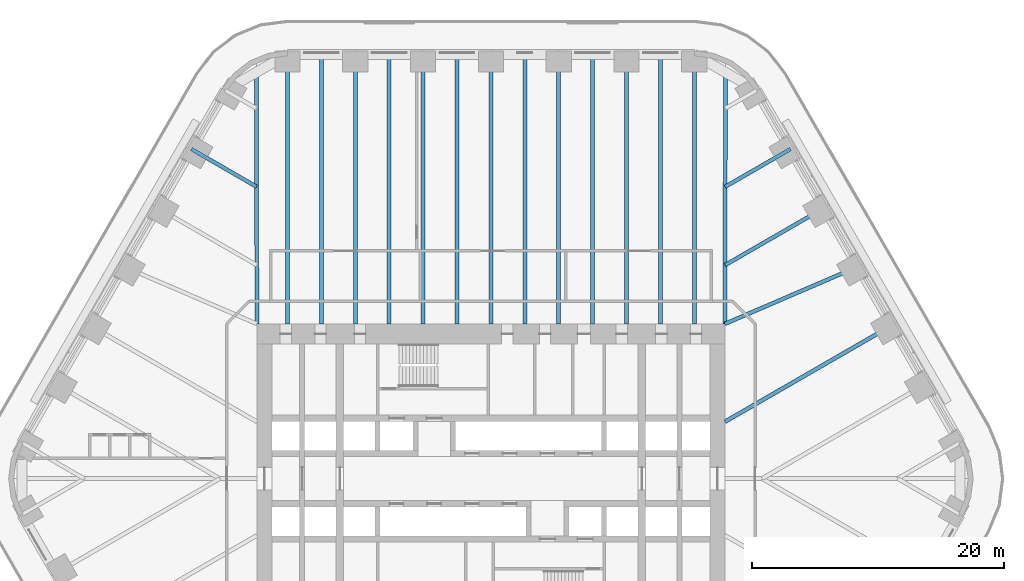
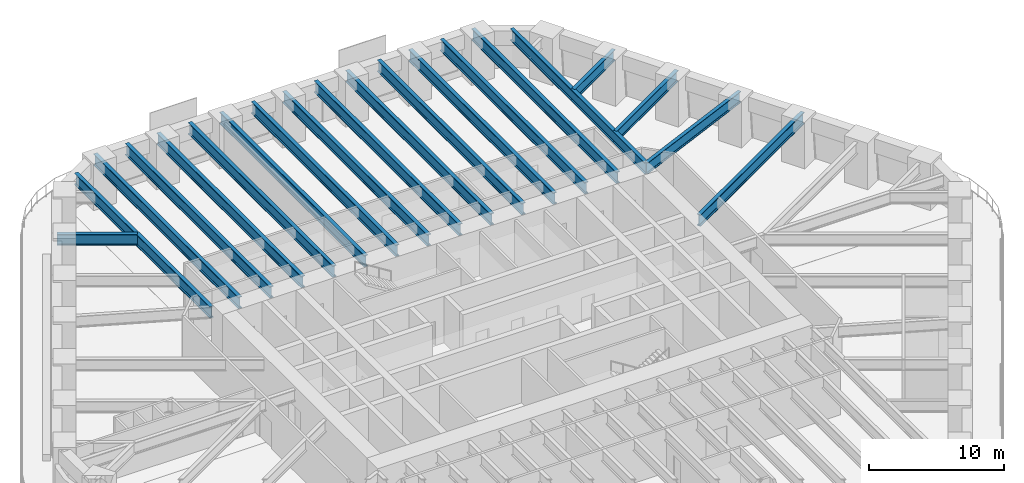
# One storey, part 10 of 23: 20 beams.
"""IFC4 building model written with IfcOpenShell, lengths in metres."""

import ifcopenshell
import ifcopenshell.guid

model = None  # the IFC model being written
_history = None  # IfcOwnerHistory: only IFC2X3 demands one
_inside = {}  # id of a spatial element -> (the spatial element, [elements in it])
_under = {}  # id of a project, library or spatial element -> (it, [spatial elements below it])
_declared = {}  # id of a project -> (the project, [libraries it declares])
_typed = {}  # id of a type object -> (the type object, [elements of that type])
_made_of = {}  # id of a material, layer set ... -> (it, [elements and type objects made of it])


def new_model(schema):
    """Start an empty IFC model of exactly this schema.

    Asked for "IFC4X3", IfcOpenShell would pick the latest addendum, in which some entities
    have other attributes; the version numbers below select the first issue.
    IFC2X3 requires an IfcOwnerHistory on every rooted entity: one is made here for all.
    """
    global model, _history
    if schema == "IFC4X3":
        model = ifcopenshell.file(schema_version=(4, 3, 0, 0))
    else:
        model = ifcopenshell.file(schema=schema)
    _inside.clear()
    _under.clear()
    _declared.clear()
    _typed.clear()
    _made_of.clear()
    _history = None
    if model.schema == "IFC2X3":
        org = make("IfcOrganization", Name="unknown")
        user = make(
            "IfcPersonAndOrganization",
            ThePerson=make("IfcPerson", FamilyName="unknown"),
            TheOrganization=org,
        )
        app = make(
            "IfcApplication",
            ApplicationDeveloper=org,
            Version="unknown",
            ApplicationFullName="unknown",
            ApplicationIdentifier="unknown",
        )
        _history = make(
            "IfcOwnerHistory",
            OwningUser=user,
            OwningApplication=app,
            ChangeAction="ADDED",
            CreationDate=0,
        )
    return model


def make(cls, **values):
    """One entity of the class cls with the attributes given. An attribute that is None is left unset."""
    return model.create_entity(
        cls, **{name: value for name, value in values.items() if value is not None}
    )


def rooted(cls, **values):
    """An entity with a GlobalId (a new one), such as an element, a storey or a relation."""
    return make(cls, GlobalId=ifcopenshell.guid.new(), OwnerHistory=_history, **values)


def si_unit(unit_type, name, prefix=None):
    """IfcSIUnit, for example si_unit("LENGTHUNIT", "METRE", prefix="MILLI")."""
    return make("IfcSIUnit", UnitType=unit_type, Prefix=prefix, Name=name)


def assignment(units):
    """IfcUnitAssignment: the units of a project."""
    return None if units is None else make("IfcUnitAssignment", Units=units)


def point(xyz):
    """IfcCartesianPoint."""
    return None if xyz is None else make("IfcCartesianPoint", Coordinates=xyz)


def direction(xyz):
    """IfcDirection."""
    return None if xyz is None else make("IfcDirection", DirectionRatios=xyz)


def frame(location, z_axis=None, x_axis=None):
    """IfcAxis2Placement3D, a coordinate frame: its origin and axes. An axis left out is left unset."""
    return make(
        "IfcAxis2Placement3D",
        Location=point(location),
        Axis=direction(z_axis),
        RefDirection=direction(x_axis),
    )


def frame_2d(location, x_axis=None):
    """IfcAxis2Placement2D, a coordinate frame in the plane: its origin and x axis."""
    return make(
        "IfcAxis2Placement2D", Location=point(location), RefDirection=direction(x_axis)
    )


def origin():
    """The frame at (0, 0, 0) with its axes left unset."""
    return frame((0.0, 0.0, 0.0))


def origin_2d():
    """The frame at (0, 0) in the plane with its x axis left unset."""
    return frame_2d((0.0, 0.0))


def place(relative_to, where):
    """IfcLocalPlacement: puts the frame where relative to a parent placement (None: the world)."""
    return make(
        "IfcLocalPlacement", PlacementRelTo=relative_to, RelativePlacement=where
    )


def context(
    kind, dimensions, precision=None, world=None, true_north=None, identifier=None
):
    """IfcGeometricRepresentationContext, for example the 3D "Model" context."""
    return make(
        "IfcGeometricRepresentationContext",
        ContextIdentifier=identifier,
        ContextType=kind,
        CoordinateSpaceDimension=dimensions,
        Precision=precision,
        WorldCoordinateSystem=world,
        TrueNorth=true_north,
    )


def subcontext(parent, identifier, kind, view, scale=None):
    """IfcGeometricRepresentationSubContext, for example "Body" below "Model"."""
    return make(
        "IfcGeometricRepresentationSubContext",
        ContextIdentifier=identifier,
        ContextType=kind,
        ParentContext=parent,
        TargetScale=scale,
        TargetView=view,
    )


def project(units=None, contexts=None):
    """IfcProject with its units and contexts."""
    return rooted(
        "IfcProject",
        Name="project",
        RepresentationContexts=contexts,
        UnitsInContext=assignment(units),
    )


def spatial(cls, under=None, at=None, **own):
    """A site, building, storey or space (cls), placed at a placement, below another one or the project."""
    s = rooted(cls, ObjectPlacement=at, **own)
    if under is not None:
        _under.setdefault(under.id(), (under, []))[1].append(s)
    return s


def profile(cls, at=None, kind="AREA", **sizes):
    """A parametric profile (cls). Its sizes go by their IFC names, for example OverallWidth=200.0."""
    return make(cls, ProfileType=kind, Position=at, **sizes)


def i_section(**sizes):
    """IfcIShapeProfileDef."""
    return profile("IfcIShapeProfileDef", **sizes)


def extrude(swept, where, along, depth):
    """IfcExtrudedAreaSolid: the profile swept, set in the frame where, extruded along a direction by depth."""
    return make(
        "IfcExtrudedAreaSolid",
        SweptArea=swept,
        Position=where,
        ExtrudedDirection=direction(along),
        Depth=depth,
    )


def shape(context_of_items, identifier, shape_type, items):
    """IfcShapeRepresentation: the items that make up one representation, for example the "Body"."""
    return make(
        "IfcShapeRepresentation",
        ContextOfItems=context_of_items,
        RepresentationIdentifier=identifier,
        RepresentationType=shape_type,
        Items=items,
    )


def material(Name=None, Category=None):
    """IfcMaterial."""
    return make("IfcMaterial", Name=Name, Category=Category)


def material_profile(
    of_material, cross_section, Name=None, Category=None, Priority=None
):
    """IfcMaterialProfile: a cross section and its material."""
    return make(
        "IfcMaterialProfile",
        Name=Name,
        Material=of_material,
        Profile=cross_section,
        Priority=Priority,
        Category=Category,
    )


def profile_set(profiles, Name=None, composite=None):
    """IfcMaterialProfileSet."""
    return make(
        "IfcMaterialProfileSet",
        Name=Name,
        MaterialProfiles=profiles,
        CompositeProfile=composite,
    )


def made_of(thing, what):
    """Note that an element or type object is made of a material, layer set ...; save() writes the relation."""
    if what is not None:
        _made_of.setdefault(what.id(), (what, []))[1].append(thing)
    return thing


def type_object(cls, material=None, **own):
    """A type object (cls), such as IfcWallType, which elements share."""
    return made_of(rooted(cls, **own), material)


def element(
    cls,
    number,
    at=None,
    inside=None,
    cuts=None,
    type_object=None,
    material=None,
    context=None,
    identifier="Body",
    shape_type=None,
    held_by="IfcProductDefinitionShape",
    body=None,
    shapes=None,
    **own,
):
    """One element of the class cls, such as IfcWall. Its Tag is "e" and its number.

    at: its placement. inside: the storey or other place that contains it. cuts: it is an
    opening in that element (IfcRelVoidsElement). A single representation is given by context,
    identifier, shape_type and body (its items); several are given by shapes. held_by: the class
    of the entity that holds the representations. save() writes the other relations.
    """
    e = rooted(cls, Tag="e%d" % number, ObjectPlacement=at, **own)
    if body is not None:
        shapes = [shape(context, identifier, shape_type, body)]
    if shapes is not None:
        e.Representation = make(held_by, Representations=shapes)
    if inside is not None:
        _inside.setdefault(inside.id(), (inside, []))[1].append(e)
    if cuts is not None:
        rooted(
            "IfcRelVoidsElement", RelatingBuildingElement=cuts, RelatedOpeningElement=e
        )
    if type_object is not None:
        _typed.setdefault(type_object.id(), (type_object, []))[1].append(e)
    return made_of(e, material)


def aggregate(whole, parts):
    """IfcRelAggregates: a whole, such as a stair, and the parts it consists of."""
    return rooted("IfcRelAggregates", RelatingObject=whole, RelatedObjects=parts)


def save(model, path):
    """Write the relations noted so far, then the file.

    IfcRelAggregates (storeys below a building ...), IfcRelContainedInSpatialStructure (elements
    in a storey), IfcRelDefinesByType, IfcRelAssociatesMaterial and IfcRelDeclares: one each for
    every whole, place, type object, material and project.
    """
    for whole, parts in _under.values():
        aggregate(whole, parts)
    for where, things in _inside.values():
        rooted(
            "IfcRelContainedInSpatialStructure",
            RelatedElements=things,
            RelatingStructure=where,
        )
    for kind, things in _typed.values():
        rooted("IfcRelDefinesByType", RelatedObjects=things, RelatingType=kind)
    for what, things in _made_of.values():
        rooted("IfcRelAssociatesMaterial", RelatedObjects=things, RelatingMaterial=what)
    for by, libraries in _declared.values():
        rooted("IfcRelDeclares", RelatingContext=by, RelatedDefinitions=libraries)
    model.write(path)


model = new_model("IFC4")

# Units and contexts
model_context = context("Model", 3, precision=1e-05, world=origin(), true_north=direction((0.0, 1.0)))
body_context = subcontext(model_context, "Body", "Model", "MODEL_VIEW")
ifc_project = project(units=[si_unit("LENGTHUNIT", "METRE"), si_unit("AREAUNIT", "SQUARE_METRE"), si_unit("VOLUMEUNIT", "CUBIC_METRE"), si_unit("PLANEANGLEUNIT", "RADIAN"), si_unit("MASSUNIT", "GRAM", prefix="KILO")], contexts=[model_context])

# Site, building, storey
site_placement = place(None, origin())
site = spatial("IfcSite", under=ifc_project, at=site_placement, CompositionType="ELEMENT")
building_placement = place(site_placement, origin())
building = spatial("IfcBuilding", under=site, at=building_placement, Name="Tarfa Lantern Tower", CompositionType="ELEMENT")
storey_placement = place(building_placement, frame((0.0, 0.0, 82.300048828125)))
storey = spatial("IfcBuildingStorey", under=building, at=storey_placement, Name="L18", CompositionType="ELEMENT", Elevation=82.300048828125)

# Beams
ifc_material = material(Name="Steel S460M", Category="steel")
ifc_material_profile_1 = material_profile(ifc_material, i_section(OverallWidth=0.302001953125, OverallDepth=1.008056640625, WebThickness=0.02099609375, FlangeThickness=0.0400390625, FilletRadius=0.030029296875, at=origin_2d()), Name="UB1016x305x349")
ifc_profile_set_1 = profile_set([ifc_material_profile_1], Name="Steel S460M")
beam_type_1 = type_object("IfcBeamType", Name="UB1016x305x349", PredefinedType="BEAM", material=ifc_profile_set_1)
beam_1_placement = place(storey_placement, frame((29.202392578125, 16.860107421875, 3.495849609375), z_axis=(-0.918635483867, -0.395106122175, 0.0), x_axis=(0.395106122175, -0.918635483867, 0.0)))
element("IfcBeam", 1, at=beam_1_placement, inside=storey, type_object=beam_type_1, Name="Floor beam NE3", PredefinedType="BEAM", context=body_context, shape_type="SweptSolid", body=[
    extrude(i_section(OverallWidth=0.302001953125, OverallDepth=1.008056640625, WebThickness=0.02099609375, FlangeThickness=0.0400390625, FilletRadius=0.030029296875, at=origin_2d()), origin(), (0.0, 0.0, 1.0), 11.541259765625),
])
beam_2_placement = place(storey_placement, frame((26.508056640625, 21.526611328125, 3.495849609375), z_axis=(-0.866035355799, -0.49998276221, 0.0), x_axis=(0.49998276221, -0.866035355799, 0.0)))
element("IfcBeam", 2, at=beam_2_placement, inside=storey, type_object=beam_type_1, Name="Floor beam NE4", PredefinedType="BEAM", context=body_context, shape_type="SweptSolid", body=[
    extrude(i_section(OverallWidth=0.302001953125, OverallDepth=1.008056640625, WebThickness=0.02099609375, FlangeThickness=0.0400390625, FilletRadius=0.030029296875, at=origin_2d()), origin(), (0.0, 0.0, 1.0), 9.119873046875),
])
for number, where, z_axis, x_axis, name in (
    (3, (23.813720703125, 26.193359375, 3.495849609375), (-0.866015997389, -0.500016292001, 0.0), (0.500016292001, -0.866015997389, 0.0), "Floor beam NE5"),
    (4, (-23.813720703125, 26.193359375, 3.495849609375), (0.866015997389, -0.500016292001, 0.0), (0.500016292001, 0.866015997389, 0.0), "Floor beam NW1"),
):
    element("IfcBeam", number, at=place(storey_placement, frame(where, z_axis=z_axis, x_axis=x_axis)), inside=storey, type_object=beam_type_1, Name=name, PredefinedType="BEAM", context=body_context, shape_type="SweptSolid", body=[
        extrude(i_section(OverallWidth=0.302001953125, OverallDepth=1.008056640625, WebThickness=0.02099609375, FlangeThickness=0.0400390625, FilletRadius=0.030029296875, at=origin_2d()), origin(), (0.0, 0.0, 1.0), 5.993408203125),
    ])
ifc_material_profile_2 = material_profile(ifc_material, i_section(OverallWidth=0.314208984375, OverallDepth=1.055908203125, WebThickness=0.035888671875, FlangeThickness=0.06396484375, FilletRadius=0.030029296875, at=origin_2d()), Name="UB1016x305x584")
ifc_profile_set_2 = profile_set([ifc_material_profile_2], Name="Steel S460M")
beam_type_2 = type_object("IfcBeamType", Name="UB1016x305x584", PredefinedType="BEAM", material=ifc_profile_set_2)
for number, where, z_axis, x_axis, name in (
    (5, (18.60009765625, 12.300048828125, 3.471923828125), (0.00212508222, 0.99999774201, 0.0), (-0.99999774201, 0.00212508222, 0.0), "Hip girder NE"),
    (6, (-18.60009765625, 12.300048828125, 3.471923828125), (-0.00212508222, 0.99999774201, 0.0), (-0.99999774201, -0.00212508222, 0.0), "Hip girder NW"),
):
    element("IfcBeam", number, at=place(storey_placement, frame(where, z_axis=z_axis, x_axis=x_axis)), inside=storey, type_object=beam_type_2, Name=name, PredefinedType="BEAM", context=body_context, shape_type="SweptSolid", body=[
        extrude(i_section(OverallWidth=0.314208984375, OverallDepth=1.055908203125, WebThickness=0.035888671875, FlangeThickness=0.06396484375, FilletRadius=0.030029296875, at=origin_2d()), origin(), (0.0, 0.0, 1.0), 19.989990234375),
    ])
beam_3_placement = place(storey_placement, frame((31.896728515625, 12.193359375, 3.471923828125), z_axis=(-0.866026971665, -0.499997284341, 0.0), x_axis=(0.499997284341, -0.866026971665, 0.0)))
element("IfcBeam", 7, at=beam_3_placement, inside=storey, type_object=beam_type_2, Name="Floor beam NE2", PredefinedType="BEAM", context=body_context, shape_type="SweptSolid", body=[
    extrude(i_section(OverallWidth=0.314208984375, OverallDepth=1.055908203125, WebThickness=0.035888671875, FlangeThickness=0.06396484375, FilletRadius=0.030029296875, at=origin_2d()), origin(), (0.0, 0.0, 1.0), 15.353515625),
])
for number, where, z_axis, x_axis, name in (
    (8, (16.165771484375, 33.719970703125, 3.471923828125), (0.0, -1.0, 0.0), (1.0, 0.0, 0.0), "Floor beam N0"),
    (9, (10.777099609375, 33.719970703125, 3.471923828125), (0.0, -1.0, 0.0), (1.0, 0.0, 0.0), "Floor beam N1"),
    (10, (5.388671875, 33.719970703125, 3.471923828125), (0.0, -1.0, 0.0), (1.0, 0.0, 0.0), "Floor beam N2"),
    (11, (0.0, 33.719970703125, 3.471923828125), (0.0, -1.0, 0.0), (1.0, 0.0, 0.0), "Floor beam N3"),
    (12, (-5.388671875, 33.719970703125, 3.471923828125), (0.0, -1.0, 0.0), (1.0, 0.0, 0.0), "Floor beam N4"),
    (13, (-10.777099609375, 33.719970703125, 3.471923828125), (0.0, -1.0, 0.0), (1.0, 0.0, 0.0), "Floor beam N5"),
    (14, (-16.165771484375, 33.719970703125, 3.471923828125), (0.0, -1.0, 0.0), (1.0, 0.0, 0.0), "Floor beam N6"),
    (15, (13.471435546875, 33.719970703125, 3.471923828125), (0.0, -1.0, 0.0), (1.0, 0.0, 0.0), "Floor beam N0M"),
    (16, (8.0830078125, 33.719970703125, 3.471923828125), (0.0, -1.0, 0.0), (1.0, 0.0, 0.0), "Floor beam N1M"),
    (17, (2.6943359375, 33.719970703125, 3.471923828125), (0.0, -1.0, 0.0), (1.0, 0.0, 0.0), "Floor beam N2M"),
    (18, (-2.6943359375, 33.719970703125, 3.471923828125), (0.0, -1.0, 0.0), (1.0, 0.0, 0.0), "Floor beam N3M"),
    (19, (-8.0830078125, 33.719970703125, 3.471923828125), (0.0, -1.0, 0.0), (1.0, 0.0, 0.0), "Floor beam N4M"),
    (20, (-13.471435546875, 33.719970703125, 3.471923828125), (0.0, -1.0, 0.0), (1.0, 0.0, 0.0), "Floor beam N5M"),
):
    element("IfcBeam", number, at=place(storey_placement, frame(where, z_axis=z_axis, x_axis=x_axis)), inside=storey, type_object=beam_type_2, Name=name, PredefinedType="BEAM", context=body_context, shape_type="SweptSolid", body=[
        extrude(i_section(OverallWidth=0.314208984375, OverallDepth=1.055908203125, WebThickness=0.035888671875, FlangeThickness=0.06396484375, FilletRadius=0.030029296875, at=origin_2d()), origin(), (0.0, 0.0, 1.0), 21.419921875),
    ])

save(model, "model.ifc")
